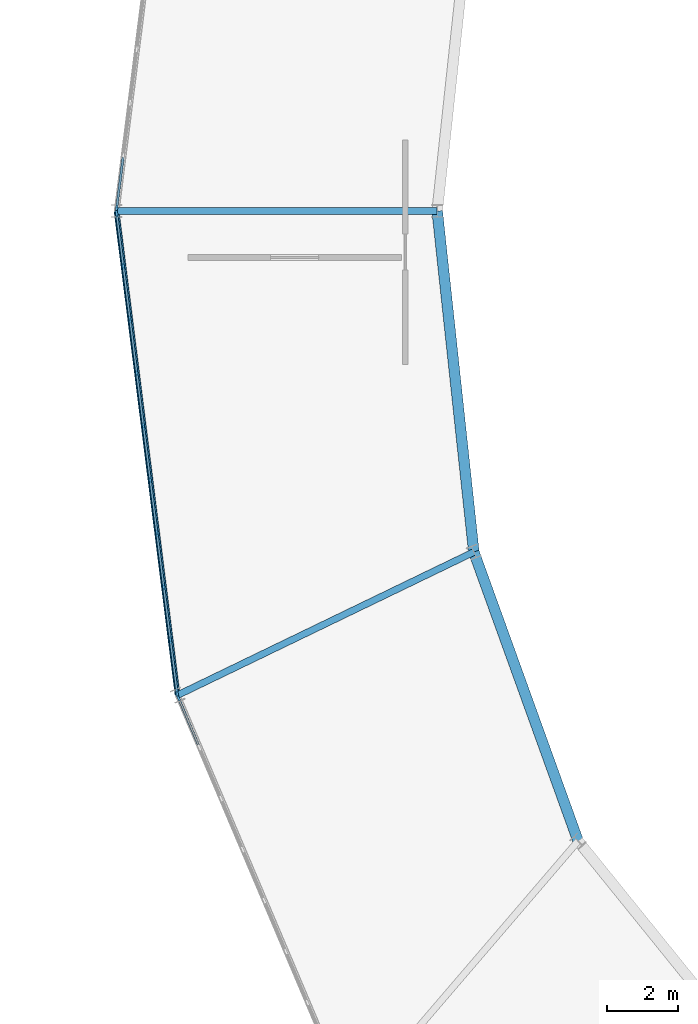
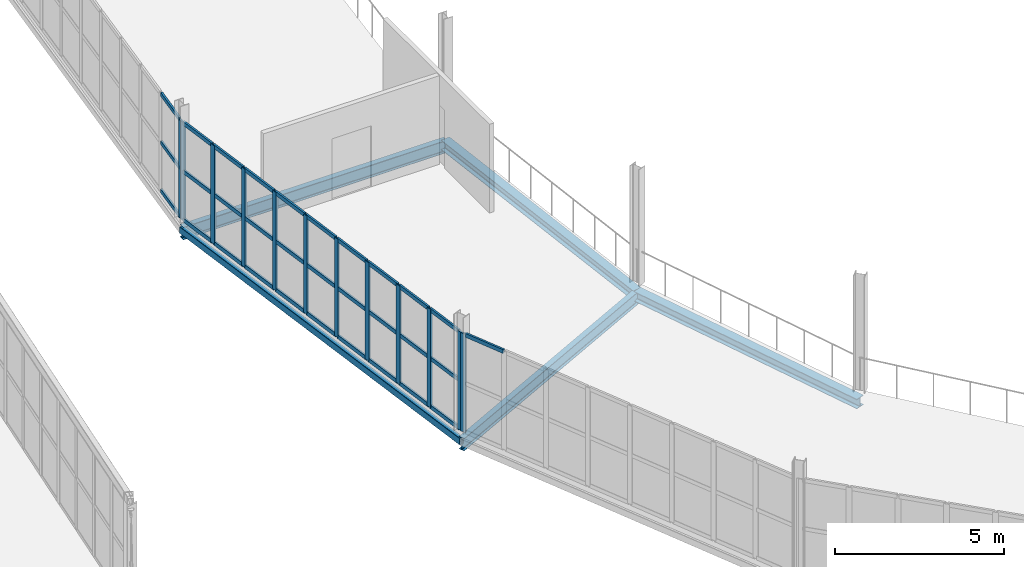
# One storey, part 83 of 161: 43 members, 5 beams, 3 elements without a shape of their own.
"""IFC4 building model written with IfcOpenShell, lengths in metres."""

from ifc_helpers import new_model, si_unit, direction, frame, origin, origin_2d, place, context, subcontext, project, spatial, rectangle, hollow_rectangle, i_section, extrude, material, material_profile, profile_set, type_object, element, aggregate, save


model = new_model("IFC4")

# Units and contexts
model_context = context("Model", 3, precision=1e-05, world=origin(), true_north=direction((0.0, 1.0)))
body_context = subcontext(model_context, "Body", "Model", "MODEL_VIEW")
ifc_project = project(units=[si_unit("LENGTHUNIT", "METRE"), si_unit("AREAUNIT", "SQUARE_METRE"), si_unit("VOLUMEUNIT", "CUBIC_METRE"), si_unit("PLANEANGLEUNIT", "RADIAN"), si_unit("MASSUNIT", "GRAM", prefix="KILO")], contexts=[model_context])

# Site, building, storey
site_placement = place(None, origin())
site = spatial("IfcSite", under=ifc_project, at=site_placement, CompositionType="ELEMENT")
building_placement = place(site_placement, origin())
building = spatial("IfcBuilding", under=site, at=building_placement, Name="Kildeholm Park Wholesale Market", CompositionType="ELEMENT")
storey_placement = place(building_placement, frame((0.0, 0.0, 5.39990234375)))
storey = spatial("IfcBuildingStorey", under=building, at=storey_placement, Name="L01", CompositionType="ELEMENT", Elevation=5.39990234375)

# Beams
ifc_material_1 = material(Name="Steel S355", Category="steel")
ifc_material_profile_1 = material_profile(ifc_material_1, i_section(OverallWidth=0.18994140625, OverallDepth=0.449951171875, WebThickness=0.009521484375, FlangeThickness=0.0146484375, FilletRadius=0.02099609375, at=origin_2d()), Name="IPE 450")
ifc_profile_set_1 = profile_set([ifc_material_profile_1], Name="Steel S355")
beam_type_1 = type_object("IfcBeamType", Name="Beam B-P02 IPE 450", PredefinedType="BEAM", material=ifc_profile_set_1)
beam_1_placement = place(storey_placement, frame((174.5, 94.5, -0.48486328125), z_axis=(-1.0, 0.0, 0.0), x_axis=(0.0, -1.0, 0.0)))
element("IfcBeam", 1, at=beam_1_placement, inside=storey, type_object=beam_type_1, Name="Beam BM-V2-L01-R-08 BM-0417", PredefinedType="BEAM", context=body_context, shape_type="SweptSolid", body=[
    extrude(i_section(OverallWidth=0.18994140625, OverallDepth=0.449951171875, WebThickness=0.009521484375, FlangeThickness=0.0146484375, FilletRadius=0.02099609375, at=origin_2d()), origin(), (0.0, 0.0, 1.0), 9.0),
])
beam_2_placement = place(storey_placement, frame((175.528076171875, 84.93310546875, -0.48486328125), z_axis=(-0.900388826514, -0.435086153639, 0.0), x_axis=(0.435086153639, -0.900388826514, 0.0)))
element("IfcBeam", 2, at=beam_2_placement, inside=storey, type_object=beam_type_1, Name="Beam BM-V2-L01-R-09 BM-0424", PredefinedType="BEAM", context=body_context, shape_type="SweptSolid", body=[
    extrude(i_section(OverallWidth=0.18994140625, OverallDepth=0.449951171875, WebThickness=0.009521484375, FlangeThickness=0.0146484375, FilletRadius=0.02099609375, at=origin_2d()), origin(), (0.0, 0.0, 1.0), 9.235107421875),
])
ifc_material_profile_2 = material_profile(ifc_material_1, i_section(OverallWidth=0.300048828125, OverallDepth=0.35009765625, WebThickness=0.010009765625, FlangeThickness=0.017578125, FilletRadius=0.027099609375, at=origin_2d()), Name="HEA 360")
ifc_profile_set_2 = profile_set([ifc_material_profile_2], Name="Steel S355")
beam_type_2 = type_object("IfcBeamType", Name="Beam B-R01 HEA 360", PredefinedType="BEAM", material=ifc_profile_set_2)
beam_3_placement = place(storey_placement, frame((174.5, 94.5, -0.434814453125), z_axis=(0.106846684142, -0.99427550814, 0.0), x_axis=(0.99427550814, 0.106846684142, 0.0)))
element("IfcBeam", 3, at=beam_3_placement, inside=storey, type_object=beam_type_2, Name="Beam BM-V2-L01-CI-08 BM-0419", PredefinedType="BEAM", context=body_context, shape_type="SweptSolid", body=[
    extrude(i_section(OverallWidth=0.300048828125, OverallDepth=0.35009765625, WebThickness=0.010009765625, FlangeThickness=0.017578125, FilletRadius=0.027099609375, at=origin_2d()), origin(), (0.0, 0.0, 1.0), 9.6220703125),
])
beam_4_placement = place(storey_placement, frame((175.528076171875, 84.93310546875, -0.434814453125), z_axis=(0.339339006409, -0.940664147679, 0.0), x_axis=(0.940664147679, 0.339339006409, 0.0)))
element("IfcBeam", 4, at=beam_4_placement, inside=storey, type_object=beam_type_2, Name="Beam BM-V2-L01-CI-09 BM-0426", PredefinedType="BEAM", context=body_context, shape_type="SweptSolid", body=[
    extrude(i_section(OverallWidth=0.300048828125, OverallDepth=0.35009765625, WebThickness=0.010009765625, FlangeThickness=0.017578125, FilletRadius=0.027099609375, at=origin_2d()), origin(), (0.0, 0.0, 1.0), 8.622802734375),
])
ifc_material_profile_3 = material_profile(ifc_material_1, hollow_rectangle(XDim=0.14990234375, YDim=0.25, WallThickness=0.010009765625, InnerFilletRadius=0.010009765625, OuterFilletRadius=0.02001953125, at=origin_2d()), Name="RHS 250x150x10")
ifc_profile_set_3 = profile_set([ifc_material_profile_3], Name="Steel S355")
beam_type_3 = type_object("IfcBeamType", Name="Beam SP-02 RHS 250x150x10", PredefinedType="SPANDREL", material=ifc_profile_set_3)
beam_5_placement = place(storey_placement, frame((165.5, 94.5, -0.385009765625), z_axis=(0.125096795787, -0.99214454173, 0.0), x_axis=(0.99214454173, 0.125096795787, 0.0)))
element("IfcBeam", 5, at=beam_5_placement, inside=storey, type_object=beam_type_3, Name="Beam BM-V2-L01-CO-08 BM-0420", PredefinedType="SPANDREL", context=body_context, shape_type="SweptSolid", body=[
    extrude(hollow_rectangle(XDim=0.14990234375, YDim=0.25, WallThickness=0.010009765625, InnerFilletRadius=0.010009765625, OuterFilletRadius=0.02001953125, at=origin_2d()), origin(), (0.0, 0.0, 1.0), 13.692626953125),
])

# Curtain wall, member
ifc_material_2 = material(Name="Anodised aluminium and low-E double-glazed glass", Category="aluminium")
curtain_wall_type = type_object("IfcCurtainWallType", Name="Market hall glazed arcade stick curtain wall CW-01", PredefinedType="NOTDEFINED", material=ifc_material_2)
curtain_wall_1_placement = place(storey_placement, origin())
curtain_wall_1 = element("IfcCurtainWall", 6, at=curtain_wall_1_placement, inside=storey, type_object=curtain_wall_type, Name="Curtain wall CW-V2-L01-07 CW-0126", PredefinedType="NOTDEFINED")
ifc_material_3 = material(Name="Anodised aluminium", Category="aluminium")
ifc_material_profile_4 = material_profile(ifc_material_3, rectangle(XDim=0.06494140625, YDim=0.179931640625, at=origin_2d()), Name="CWM 65x180")
ifc_profile_set_4 = profile_set([ifc_material_profile_4], Name="Anodised aluminium")
member_type_1 = type_object("IfcMemberType", Name="Curtain-wall mullion CWM-1 CWM 65x180", PredefinedType="MULLION", material=ifc_profile_set_4)
member_1_placement = place(storey_placement, frame((165.504150390625, 94.5732421875, 0.0), z_axis=(0.0, 0.0, 1.0), x_axis=(0.992145095497, -0.12509240377, 0.0)))
member_1 = element("IfcMember", 7, at=member_1_placement, type_object=member_type_1, Name="CW-01 mullion 10 MEM-3868", PredefinedType="MULLION", context=body_context, shape_type="SweptSolid", body=[
    extrude(rectangle(XDim=0.06494140625, YDim=0.179931640625, at=origin_2d()), origin(), (0.0, 0.0, 1.0), 3.550048828125),
])

# Curtain wall, members
curtain_wall_2_placement = place(storey_placement, origin())
curtain_wall_2 = element("IfcCurtainWall", 8, at=curtain_wall_2_placement, inside=storey, type_object=curtain_wall_type, Name="Curtain wall CW-V2-L01-08 CW-0127", PredefinedType="NOTDEFINED")
member_2_placement = place(storey_placement, frame((165.504150390625, 94.4267578125, 0.0), z_axis=(0.0, 0.0, 1.0), x_axis=(0.992145095497, 0.12509240377, 0.0)))
member_2 = element("IfcMember", 9, at=member_2_placement, type_object=member_type_1, Name="CW-01 mullion 1 MEM-3896", PredefinedType="MULLION", context=body_context, shape_type="SweptSolid", body=[
    extrude(rectangle(XDim=0.06494140625, YDim=0.179931640625, at=origin_2d()), origin(), (0.0, 0.0, 1.0), 3.550048828125),
])
member_3_placement = place(storey_placement, frame((165.689208984375, 92.958251953125, 0.0), z_axis=(0.0, 0.0, 1.0), x_axis=(0.992145095497, 0.12509240377, 0.0)))
member_3 = element("IfcMember", 10, at=member_3_placement, type_object=member_type_1, Name="CW-01 mullion 2 MEM-3897", PredefinedType="MULLION", context=body_context, shape_type="SweptSolid", body=[
    extrude(rectangle(XDim=0.06494140625, YDim=0.179931640625, at=origin_2d()), origin(), (0.0, 0.0, 1.0), 3.550048828125),
])
member_4_placement = place(storey_placement, frame((165.87841796875, 91.45751953125, 0.0), z_axis=(0.0, 0.0, 1.0), x_axis=(0.992145095497, 0.12509240377, 0.0)))
member_4 = element("IfcMember", 11, at=member_4_placement, type_object=member_type_1, Name="CW-01 mullion 3 MEM-3898", PredefinedType="MULLION", context=body_context, shape_type="SweptSolid", body=[
    extrude(rectangle(XDim=0.06494140625, YDim=0.179931640625, at=origin_2d()), origin(), (0.0, 0.0, 1.0), 3.550048828125),
])
member_5_placement = place(storey_placement, frame((166.067626953125, 89.956787109375, 0.0), z_axis=(0.0, 0.0, 1.0), x_axis=(0.992145095497, 0.12509240377, 0.0)))
member_5 = element("IfcMember", 12, at=member_5_placement, type_object=member_type_1, Name="CW-01 mullion 4 MEM-3899", PredefinedType="MULLION", context=body_context, shape_type="SweptSolid", body=[
    extrude(rectangle(XDim=0.06494140625, YDim=0.179931640625, at=origin_2d()), origin(), (0.0, 0.0, 1.0), 3.550048828125),
])
member_6_placement = place(storey_placement, frame((166.2568359375, 88.455810546875, 0.0), z_axis=(0.0, 0.0, 1.0), x_axis=(0.992145095497, 0.12509240377, 0.0)))
member_6 = element("IfcMember", 13, at=member_6_placement, type_object=member_type_1, Name="CW-01 mullion 5 MEM-3900", PredefinedType="MULLION", context=body_context, shape_type="SweptSolid", body=[
    extrude(rectangle(XDim=0.06494140625, YDim=0.179931640625, at=origin_2d()), origin(), (0.0, 0.0, 1.0), 3.550048828125),
])
member_7_placement = place(storey_placement, frame((166.446044921875, 86.955078125, 0.0), z_axis=(0.0, 0.0, 1.0), x_axis=(0.992145095497, 0.12509240377, 0.0)))
member_7 = element("IfcMember", 14, at=member_7_placement, type_object=member_type_1, Name="CW-01 mullion 6 MEM-3901", PredefinedType="MULLION", context=body_context, shape_type="SweptSolid", body=[
    extrude(rectangle(XDim=0.06494140625, YDim=0.179931640625, at=origin_2d()), origin(), (0.0, 0.0, 1.0), 3.550048828125),
])
member_8_placement = place(storey_placement, frame((166.63525390625, 85.454345703125, 0.0), z_axis=(0.0, 0.0, 1.0), x_axis=(0.992145095497, 0.12509240377, 0.0)))
member_8 = element("IfcMember", 15, at=member_8_placement, type_object=member_type_1, Name="CW-01 mullion 7 MEM-3902", PredefinedType="MULLION", context=body_context, shape_type="SweptSolid", body=[
    extrude(rectangle(XDim=0.06494140625, YDim=0.179931640625, at=origin_2d()), origin(), (0.0, 0.0, 1.0), 3.550048828125),
])
member_9_placement = place(storey_placement, frame((166.824462890625, 83.95361328125, 0.0), z_axis=(0.0, 0.0, 1.0), x_axis=(0.992145095497, 0.12509240377, 0.0)))
member_9 = element("IfcMember", 16, at=member_9_placement, type_object=member_type_1, Name="CW-01 mullion 8 MEM-3903", PredefinedType="MULLION", context=body_context, shape_type="SweptSolid", body=[
    extrude(rectangle(XDim=0.06494140625, YDim=0.179931640625, at=origin_2d()), origin(), (0.0, 0.0, 1.0), 3.550048828125),
])
member_10_placement = place(storey_placement, frame((167.013671875, 82.452880859375, 0.0), z_axis=(0.0, 0.0, 1.0), x_axis=(0.992145095497, 0.12509240377, 0.0)))
member_10 = element("IfcMember", 17, at=member_10_placement, type_object=member_type_1, Name="CW-01 mullion 9 MEM-3904", PredefinedType="MULLION", context=body_context, shape_type="SweptSolid", body=[
    extrude(rectangle(XDim=0.06494140625, YDim=0.179931640625, at=origin_2d()), origin(), (0.0, 0.0, 1.0), 3.550048828125),
])
member_11_placement = place(storey_placement, frame((167.198974609375, 80.984130859375, 0.0), z_axis=(0.0, 0.0, 1.0), x_axis=(0.992145095497, 0.12509240377, 0.0)))
member_11 = element("IfcMember", 18, at=member_11_placement, type_object=member_type_1, Name="CW-01 mullion 10 MEM-3905", PredefinedType="MULLION", context=body_context, shape_type="SweptSolid", body=[
    extrude(rectangle(XDim=0.06494140625, YDim=0.179931640625, at=origin_2d()), origin(), (0.0, 0.0, 1.0), 3.550048828125),
])

# Curtain wall, member
curtain_wall_3_placement = place(storey_placement, origin())
curtain_wall_3 = element("IfcCurtainWall", 19, at=curtain_wall_3_placement, inside=storey, type_object=curtain_wall_type, Name="Curtain wall CW-V2-L01-09 CW-0128", PredefinedType="NOTDEFINED")
member_12_placement = place(storey_placement, frame((167.236572265625, 80.843994140625, 0.0), z_axis=(0.0, 0.0, 1.0), x_axis=(0.920855054668, 0.389905076002, 0.0)))
member_12 = element("IfcMember", 20, at=member_12_placement, type_object=member_type_1, Name="CW-01 mullion 1 MEM-3933", PredefinedType="MULLION", context=body_context, shape_type="SweptSolid", body=[
    extrude(rectangle(XDim=0.06494140625, YDim=0.179931640625, at=origin_2d()), origin(), (0.0, 0.0, 1.0), 3.550048828125),
])

# Member
ifc_material_profile_5 = material_profile(ifc_material_3, rectangle(XDim=0.06494140625, YDim=0.139892578125, at=origin_2d()), Name="CWT 65x140")
ifc_profile_set_5 = profile_set([ifc_material_profile_5], Name="Anodised aluminium")
member_type_2 = type_object("IfcMemberType", Name="Curtain-wall transom CWT-1 CWT 65x140", PredefinedType="USERDEFINED", material=ifc_profile_set_5)
member_13_placement = place(storey_placement, frame((165.68505859375, 96.009521484375, 0.03271484375), z_axis=(-0.125075078735, -0.992147279732, 0.0), x_axis=(0.992147279732, -0.125075078735, 0.0)))
member_13 = element("IfcMember", 21, at=member_13_placement, type_object=member_type_2, Name="CW-01 transom 9.1 MEM-3893", ObjectType="TRANSOM", PredefinedType="USERDEFINED", context=body_context, shape_type="SweptSolid", body=[
    extrude(rectangle(XDim=0.06494140625, YDim=0.139892578125, at=origin_2d()), origin(), (0.0, 0.0, 1.0), 1.415283203125),
])

member_14_placement = place(storey_placement, frame((165.68505859375, 96.009521484375, 1.775146484375), z_axis=(-0.125075078735, -0.992147279732, 0.0), x_axis=(0.992147279732, -0.125075078735, 0.0)))
member_14 = element("IfcMember", 22, at=member_14_placement, type_object=member_type_2, Name="CW-01 transom 9.2 MEM-3894", ObjectType="TRANSOM", PredefinedType="USERDEFINED", context=body_context, shape_type="SweptSolid", body=[
    extrude(rectangle(XDim=0.06494140625, YDim=0.139892578125, at=origin_2d()), origin(), (0.0, 0.0, 1.0), 1.415283203125),
])

member_15_placement = place(storey_placement, frame((165.68505859375, 96.009521484375, 3.517578125), z_axis=(-0.125075078735, -0.992147279732, 0.0), x_axis=(0.992147279732, -0.125075078735, 0.0)))
member_15 = element("IfcMember", 23, at=member_15_placement, type_object=member_type_2, Name="CW-01 transom 9.3 MEM-3895", ObjectType="TRANSOM", PredefinedType="USERDEFINED", context=body_context, shape_type="SweptSolid", body=[
    extrude(rectangle(XDim=0.06494140625, YDim=0.139892578125, at=origin_2d()), origin(), (0.0, 0.0, 1.0), 1.415283203125),
])

aggregate(curtain_wall_1, [member_1, member_13, member_14, member_15])

member_16_placement = place(storey_placement, frame((165.508056640625, 94.39453125, 0.03271484375), z_axis=(0.125075078735, -0.992147279732, 0.0), x_axis=(0.992147279732, 0.125075078735, 0.0)))
member_16 = element("IfcMember", 24, at=member_16_placement, type_object=member_type_2, Name="CW-01 transom 1.1 MEM-3906", ObjectType="TRANSOM", PredefinedType="USERDEFINED", context=body_context, shape_type="SweptSolid", body=[
    extrude(rectangle(XDim=0.06494140625, YDim=0.139892578125, at=origin_2d()), origin(), (0.0, 0.0, 1.0), 1.415283203125),
])

member_17_placement = place(storey_placement, frame((165.508056640625, 94.39453125, 1.775146484375), z_axis=(0.125075078735, -0.992147279732, 0.0), x_axis=(0.992147279732, 0.125075078735, 0.0)))
member_17 = element("IfcMember", 25, at=member_17_placement, type_object=member_type_2, Name="CW-01 transom 1.2 MEM-3907", ObjectType="TRANSOM", PredefinedType="USERDEFINED", context=body_context, shape_type="SweptSolid", body=[
    extrude(rectangle(XDim=0.06494140625, YDim=0.139892578125, at=origin_2d()), origin(), (0.0, 0.0, 1.0), 1.415283203125),
])

member_18_placement = place(storey_placement, frame((165.508056640625, 94.39453125, 3.517578125), z_axis=(0.125075078735, -0.992147279732, 0.0), x_axis=(0.992147279732, 0.125075078735, 0.0)))
member_18 = element("IfcMember", 26, at=member_18_placement, type_object=member_type_2, Name="CW-01 transom 1.3 MEM-3908", ObjectType="TRANSOM", PredefinedType="USERDEFINED", context=body_context, shape_type="SweptSolid", body=[
    extrude(rectangle(XDim=0.06494140625, YDim=0.139892578125, at=origin_2d()), origin(), (0.0, 0.0, 1.0), 1.415283203125),
])

member_19_placement = place(storey_placement, frame((165.693359375, 92.926025390625, 0.03271484375), z_axis=(0.124968734331, -0.992160680253, 0.0), x_axis=(0.992160680253, 0.124968734331, 0.0)))
member_19 = element("IfcMember", 27, at=member_19_placement, type_object=member_type_2, Name="CW-01 transom 2.1 MEM-3909", ObjectType="TRANSOM", PredefinedType="USERDEFINED", context=body_context, shape_type="SweptSolid", body=[
    extrude(rectangle(XDim=0.06494140625, YDim=0.139892578125, at=origin_2d()), origin(), (0.0, 0.0, 1.0), 1.447509765625),
])

member_20_placement = place(storey_placement, frame((165.693359375, 92.926025390625, 1.775146484375), z_axis=(0.124968734331, -0.992160680253, 0.0), x_axis=(0.992160680253, 0.124968734331, 0.0)))
member_20 = element("IfcMember", 28, at=member_20_placement, type_object=member_type_2, Name="CW-01 transom 2.2 MEM-3910", ObjectType="TRANSOM", PredefinedType="USERDEFINED", context=body_context, shape_type="SweptSolid", body=[
    extrude(rectangle(XDim=0.06494140625, YDim=0.139892578125, at=origin_2d()), origin(), (0.0, 0.0, 1.0), 1.447509765625),
])

member_21_placement = place(storey_placement, frame((165.693359375, 92.926025390625, 3.517578125), z_axis=(0.124968734331, -0.992160680253, 0.0), x_axis=(0.992160680253, 0.124968734331, 0.0)))
member_21 = element("IfcMember", 29, at=member_21_placement, type_object=member_type_2, Name="CW-01 transom 2.3 MEM-3911", ObjectType="TRANSOM", PredefinedType="USERDEFINED", context=body_context, shape_type="SweptSolid", body=[
    extrude(rectangle(XDim=0.06494140625, YDim=0.139892578125, at=origin_2d()), origin(), (0.0, 0.0, 1.0), 1.447509765625),
])

member_22_placement = place(storey_placement, frame((165.882568359375, 91.42529296875, 0.03271484375), z_axis=(0.125134744026, -0.992139756203, 0.0), x_axis=(0.992139756203, 0.125134744026, 0.0)))
member_22 = element("IfcMember", 30, at=member_22_placement, type_object=member_type_2, Name="CW-01 transom 3.1 MEM-3912", ObjectType="TRANSOM", PredefinedType="USERDEFINED", context=body_context, shape_type="SweptSolid", body=[
    extrude(rectangle(XDim=0.06494140625, YDim=0.139892578125, at=origin_2d()), origin(), (0.0, 0.0, 1.0), 1.44775390625),
])

member_23_placement = place(storey_placement, frame((165.882568359375, 91.42529296875, 1.775146484375), z_axis=(0.125134744026, -0.992139756203, 0.0), x_axis=(0.992139756203, 0.125134744026, 0.0)))
member_23 = element("IfcMember", 31, at=member_23_placement, type_object=member_type_2, Name="CW-01 transom 3.2 MEM-3913", ObjectType="TRANSOM", PredefinedType="USERDEFINED", context=body_context, shape_type="SweptSolid", body=[
    extrude(rectangle(XDim=0.06494140625, YDim=0.139892578125, at=origin_2d()), origin(), (0.0, 0.0, 1.0), 1.44775390625),
])

member_24_placement = place(storey_placement, frame((165.882568359375, 91.42529296875, 3.517578125), z_axis=(0.125134744026, -0.992139756203, 0.0), x_axis=(0.992139756203, 0.125134744026, 0.0)))
member_24 = element("IfcMember", 32, at=member_24_placement, type_object=member_type_2, Name="CW-01 transom 3.3 MEM-3914", ObjectType="TRANSOM", PredefinedType="USERDEFINED", context=body_context, shape_type="SweptSolid", body=[
    extrude(rectangle(XDim=0.06494140625, YDim=0.139892578125, at=origin_2d()), origin(), (0.0, 0.0, 1.0), 1.44775390625),
])

member_25_placement = place(storey_placement, frame((166.07177734375, 89.92431640625, 0.03271484375), z_axis=(0.125134744026, -0.992139756203, 0.0), x_axis=(0.992139756203, 0.125134744026, 0.0)))
member_25 = element("IfcMember", 33, at=member_25_placement, type_object=member_type_2, Name="CW-01 transom 4.1 MEM-3915", ObjectType="TRANSOM", PredefinedType="USERDEFINED", context=body_context, shape_type="SweptSolid", body=[
    extrude(rectangle(XDim=0.06494140625, YDim=0.139892578125, at=origin_2d()), origin(), (0.0, 0.0, 1.0), 1.44775390625),
])

member_26_placement = place(storey_placement, frame((166.07177734375, 89.92431640625, 1.775146484375), z_axis=(0.125134744026, -0.992139756203, 0.0), x_axis=(0.992139756203, 0.125134744026, 0.0)))
member_26 = element("IfcMember", 34, at=member_26_placement, type_object=member_type_2, Name="CW-01 transom 4.2 MEM-3916", ObjectType="TRANSOM", PredefinedType="USERDEFINED", context=body_context, shape_type="SweptSolid", body=[
    extrude(rectangle(XDim=0.06494140625, YDim=0.139892578125, at=origin_2d()), origin(), (0.0, 0.0, 1.0), 1.44775390625),
])

member_27_placement = place(storey_placement, frame((166.07177734375, 89.92431640625, 3.517578125), z_axis=(0.125134744026, -0.992139756203, 0.0), x_axis=(0.992139756203, 0.125134744026, 0.0)))
member_27 = element("IfcMember", 35, at=member_27_placement, type_object=member_type_2, Name="CW-01 transom 4.3 MEM-3917", ObjectType="TRANSOM", PredefinedType="USERDEFINED", context=body_context, shape_type="SweptSolid", body=[
    extrude(rectangle(XDim=0.06494140625, YDim=0.139892578125, at=origin_2d()), origin(), (0.0, 0.0, 1.0), 1.44775390625),
])

member_28_placement = place(storey_placement, frame((166.260986328125, 88.423583984375, 0.03271484375), z_axis=(0.125134744026, -0.992139756203, 0.0), x_axis=(0.992139756203, 0.125134744026, 0.0)))
member_28 = element("IfcMember", 36, at=member_28_placement, type_object=member_type_2, Name="CW-01 transom 5.1 MEM-3918", ObjectType="TRANSOM", PredefinedType="USERDEFINED", context=body_context, shape_type="SweptSolid", body=[
    extrude(rectangle(XDim=0.06494140625, YDim=0.139892578125, at=origin_2d()), origin(), (0.0, 0.0, 1.0), 1.44775390625),
])

member_29_placement = place(storey_placement, frame((166.260986328125, 88.423583984375, 1.775146484375), z_axis=(0.125134744026, -0.992139756203, 0.0), x_axis=(0.992139756203, 0.125134744026, 0.0)))
member_29 = element("IfcMember", 37, at=member_29_placement, type_object=member_type_2, Name="CW-01 transom 5.2 MEM-3919", ObjectType="TRANSOM", PredefinedType="USERDEFINED", context=body_context, shape_type="SweptSolid", body=[
    extrude(rectangle(XDim=0.06494140625, YDim=0.139892578125, at=origin_2d()), origin(), (0.0, 0.0, 1.0), 1.44775390625),
])

member_30_placement = place(storey_placement, frame((166.260986328125, 88.423583984375, 3.517578125), z_axis=(0.125134744026, -0.992139756203, 0.0), x_axis=(0.992139756203, 0.125134744026, 0.0)))
member_30 = element("IfcMember", 38, at=member_30_placement, type_object=member_type_2, Name="CW-01 transom 5.3 MEM-3920", ObjectType="TRANSOM", PredefinedType="USERDEFINED", context=body_context, shape_type="SweptSolid", body=[
    extrude(rectangle(XDim=0.06494140625, YDim=0.139892578125, at=origin_2d()), origin(), (0.0, 0.0, 1.0), 1.44775390625),
])

member_31_placement = place(storey_placement, frame((166.4501953125, 86.9228515625, 0.03271484375), z_axis=(0.125134744026, -0.992139756203, 0.0), x_axis=(0.992139756203, 0.125134744026, 0.0)))
member_31 = element("IfcMember", 39, at=member_31_placement, type_object=member_type_2, Name="CW-01 transom 6.1 MEM-3921", ObjectType="TRANSOM", PredefinedType="USERDEFINED", context=body_context, shape_type="SweptSolid", body=[
    extrude(rectangle(XDim=0.06494140625, YDim=0.139892578125, at=origin_2d()), origin(), (0.0, 0.0, 1.0), 1.44775390625),
])

member_32_placement = place(storey_placement, frame((166.4501953125, 86.9228515625, 1.775146484375), z_axis=(0.125134744026, -0.992139756203, 0.0), x_axis=(0.992139756203, 0.125134744026, 0.0)))
member_32 = element("IfcMember", 40, at=member_32_placement, type_object=member_type_2, Name="CW-01 transom 6.2 MEM-3922", ObjectType="TRANSOM", PredefinedType="USERDEFINED", context=body_context, shape_type="SweptSolid", body=[
    extrude(rectangle(XDim=0.06494140625, YDim=0.139892578125, at=origin_2d()), origin(), (0.0, 0.0, 1.0), 1.44775390625),
])

member_33_placement = place(storey_placement, frame((166.4501953125, 86.9228515625, 3.517578125), z_axis=(0.125134744026, -0.992139756203, 0.0), x_axis=(0.992139756203, 0.125134744026, 0.0)))
member_33 = element("IfcMember", 41, at=member_33_placement, type_object=member_type_2, Name="CW-01 transom 6.3 MEM-3923", ObjectType="TRANSOM", PredefinedType="USERDEFINED", context=body_context, shape_type="SweptSolid", body=[
    extrude(rectangle(XDim=0.06494140625, YDim=0.139892578125, at=origin_2d()), origin(), (0.0, 0.0, 1.0), 1.44775390625),
])

member_34_placement = place(storey_placement, frame((166.639404296875, 85.422119140625, 0.03271484375), z_axis=(0.125134744026, -0.992139756203, 0.0), x_axis=(0.992139756203, 0.125134744026, 0.0)))
member_34 = element("IfcMember", 42, at=member_34_placement, type_object=member_type_2, Name="CW-01 transom 7.1 MEM-3924", ObjectType="TRANSOM", PredefinedType="USERDEFINED", context=body_context, shape_type="SweptSolid", body=[
    extrude(rectangle(XDim=0.06494140625, YDim=0.139892578125, at=origin_2d()), origin(), (0.0, 0.0, 1.0), 1.44775390625),
])

member_35_placement = place(storey_placement, frame((166.639404296875, 85.422119140625, 1.775146484375), z_axis=(0.125134744026, -0.992139756203, 0.0), x_axis=(0.992139756203, 0.125134744026, 0.0)))
member_35 = element("IfcMember", 43, at=member_35_placement, type_object=member_type_2, Name="CW-01 transom 7.2 MEM-3925", ObjectType="TRANSOM", PredefinedType="USERDEFINED", context=body_context, shape_type="SweptSolid", body=[
    extrude(rectangle(XDim=0.06494140625, YDim=0.139892578125, at=origin_2d()), origin(), (0.0, 0.0, 1.0), 1.44775390625),
])

member_36_placement = place(storey_placement, frame((166.639404296875, 85.422119140625, 3.517578125), z_axis=(0.125134744026, -0.992139756203, 0.0), x_axis=(0.992139756203, 0.125134744026, 0.0)))
member_36 = element("IfcMember", 44, at=member_36_placement, type_object=member_type_2, Name="CW-01 transom 7.3 MEM-3926", ObjectType="TRANSOM", PredefinedType="USERDEFINED", context=body_context, shape_type="SweptSolid", body=[
    extrude(rectangle(XDim=0.06494140625, YDim=0.139892578125, at=origin_2d()), origin(), (0.0, 0.0, 1.0), 1.44775390625),
])

member_37_placement = place(storey_placement, frame((166.82861328125, 83.92138671875, 0.03271484375), z_axis=(0.125134744026, -0.992139756203, 0.0), x_axis=(0.992139756203, 0.125134744026, 0.0)))
member_37 = element("IfcMember", 45, at=member_37_placement, type_object=member_type_2, Name="CW-01 transom 8.1 MEM-3927", ObjectType="TRANSOM", PredefinedType="USERDEFINED", context=body_context, shape_type="SweptSolid", body=[
    extrude(rectangle(XDim=0.06494140625, YDim=0.139892578125, at=origin_2d()), origin(), (0.0, 0.0, 1.0), 1.44775390625),
])

member_38_placement = place(storey_placement, frame((166.82861328125, 83.92138671875, 1.775146484375), z_axis=(0.125134744026, -0.992139756203, 0.0), x_axis=(0.992139756203, 0.125134744026, 0.0)))
member_38 = element("IfcMember", 46, at=member_38_placement, type_object=member_type_2, Name="CW-01 transom 8.2 MEM-3928", ObjectType="TRANSOM", PredefinedType="USERDEFINED", context=body_context, shape_type="SweptSolid", body=[
    extrude(rectangle(XDim=0.06494140625, YDim=0.139892578125, at=origin_2d()), origin(), (0.0, 0.0, 1.0), 1.44775390625),
])

member_39_placement = place(storey_placement, frame((166.82861328125, 83.92138671875, 3.517578125), z_axis=(0.125134744026, -0.992139756203, 0.0), x_axis=(0.992139756203, 0.125134744026, 0.0)))
member_39 = element("IfcMember", 47, at=member_39_placement, type_object=member_type_2, Name="CW-01 transom 8.3 MEM-3929", ObjectType="TRANSOM", PredefinedType="USERDEFINED", context=body_context, shape_type="SweptSolid", body=[
    extrude(rectangle(XDim=0.06494140625, YDim=0.139892578125, at=origin_2d()), origin(), (0.0, 0.0, 1.0), 1.44775390625),
])

member_40_placement = place(storey_placement, frame((167.017822265625, 82.420654296875, 0.03271484375), z_axis=(0.125075078735, -0.992147279732, 0.0), x_axis=(0.992147279732, 0.125075078735, 0.0)))
member_40 = element("IfcMember", 48, at=member_40_placement, type_object=member_type_2, Name="CW-01 transom 9.1 MEM-3930", ObjectType="TRANSOM", PredefinedType="USERDEFINED", context=body_context, shape_type="SweptSolid", body=[
    extrude(rectangle(XDim=0.06494140625, YDim=0.139892578125, at=origin_2d()), origin(), (0.0, 0.0, 1.0), 1.415283203125),
])

member_41_placement = place(storey_placement, frame((167.017822265625, 82.420654296875, 1.775146484375), z_axis=(0.125075078735, -0.992147279732, 0.0), x_axis=(0.992147279732, 0.125075078735, 0.0)))
member_41 = element("IfcMember", 49, at=member_41_placement, type_object=member_type_2, Name="CW-01 transom 9.2 MEM-3931", ObjectType="TRANSOM", PredefinedType="USERDEFINED", context=body_context, shape_type="SweptSolid", body=[
    extrude(rectangle(XDim=0.06494140625, YDim=0.139892578125, at=origin_2d()), origin(), (0.0, 0.0, 1.0), 1.415283203125),
])

member_42_placement = place(storey_placement, frame((167.017822265625, 82.420654296875, 3.517578125), z_axis=(0.125075078735, -0.992147279732, 0.0), x_axis=(0.992147279732, 0.125075078735, 0.0)))
member_42 = element("IfcMember", 50, at=member_42_placement, type_object=member_type_2, Name="CW-01 transom 9.3 MEM-3932", ObjectType="TRANSOM", PredefinedType="USERDEFINED", context=body_context, shape_type="SweptSolid", body=[
    extrude(rectangle(XDim=0.06494140625, YDim=0.139892578125, at=origin_2d()), origin(), (0.0, 0.0, 1.0), 1.415283203125),
])

aggregate(curtain_wall_2, [member_2, member_3, member_4, member_5, member_6, member_7, member_8, member_9, member_10, member_11, member_16, member_17, member_18, member_19, member_20, member_21, member_22, member_23, member_24, member_25, member_26, member_27, member_28, member_29, member_30, member_31, member_32, member_33, member_34, member_35, member_36, member_37, member_38, member_39, member_40, member_41, member_42])

member_43_placement = place(storey_placement, frame((167.249267578125, 80.814208984375, 3.517578125), z_axis=(0.389990019704, -0.920819083497, 0.0), x_axis=(0.920819083497, 0.389990019704, 0.0)))
member_43 = element("IfcMember", 51, at=member_43_placement, type_object=member_type_2, Name="CW-01 transom 1.3 MEM-3944", ObjectType="TRANSOM", PredefinedType="USERDEFINED", context=body_context, shape_type="SweptSolid", body=[
    extrude(rectangle(XDim=0.06494140625, YDim=0.139892578125, at=origin_2d()), origin(), (0.0, 0.0, 1.0), 1.4560546875),
])

aggregate(curtain_wall_3, [member_12, member_43])

save(model, "model.ifc")
